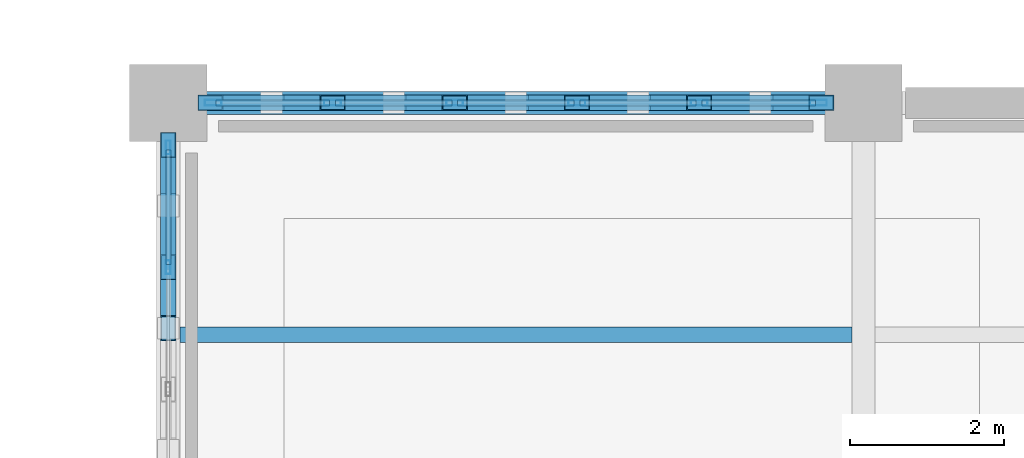
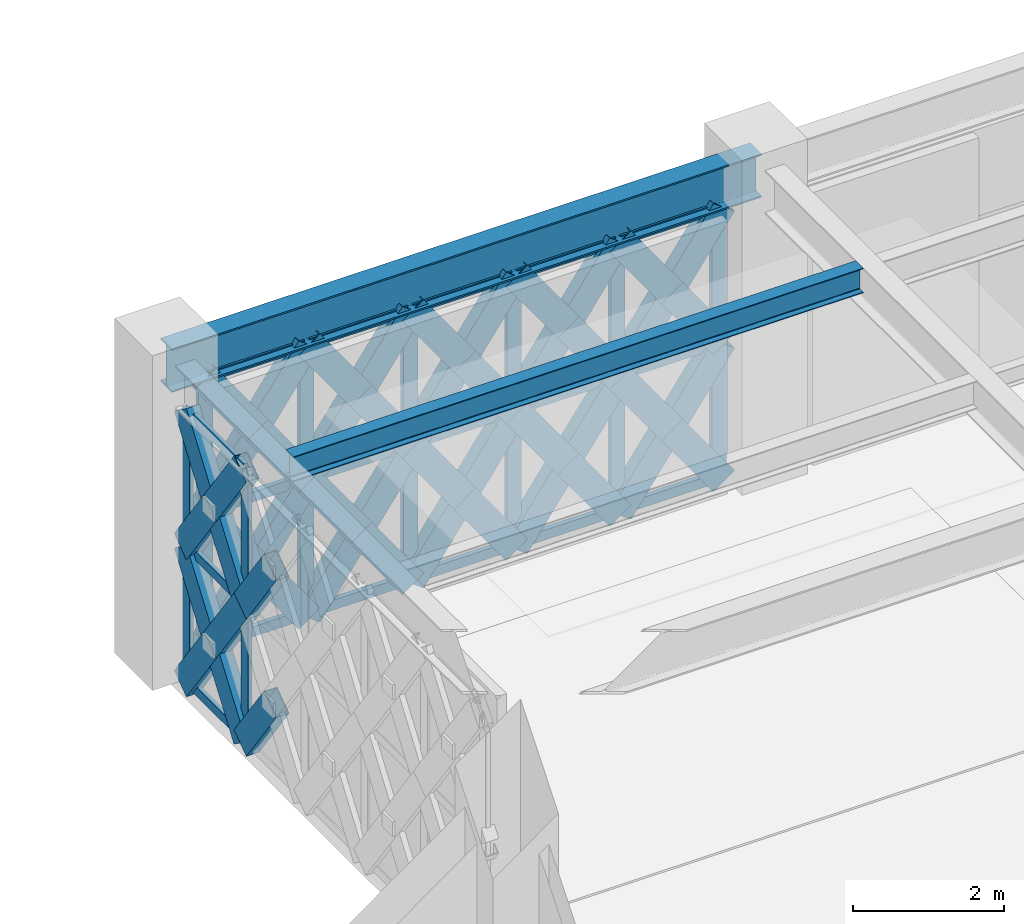
# One storey, part 43 of 140: 64 members, 2 beams, 2 elements without a shape of their own.
"""IFC4 building model written with IfcOpenShell, lengths in metres."""

from ifc_helpers import new_model, si_unit, direction, frame, origin, origin_2d, place, context, subcontext, project, spatial, hollow_rectangle, i_section, extrude, material, material_profile, profile_set, type_object, element, aggregate, save


model = new_model("IFC4")

# Units and contexts
model_context = context("Model", 3, precision=1e-05, world=origin(), true_north=direction((0.0, 1.0)))
body_context = subcontext(model_context, "Body", "Model", "MODEL_VIEW")
ifc_project = project(units=[si_unit("LENGTHUNIT", "METRE"), si_unit("AREAUNIT", "SQUARE_METRE"), si_unit("VOLUMEUNIT", "CUBIC_METRE"), si_unit("PLANEANGLEUNIT", "RADIAN"), si_unit("MASSUNIT", "GRAM", prefix="KILO")], contexts=[model_context])

# Site, building, storey
site_placement = place(None, origin())
site = spatial("IfcSite", under=ifc_project, at=site_placement, CompositionType="ELEMENT")
building_placement = place(site_placement, origin())
building = spatial("IfcBuilding", under=site, at=building_placement, Name="Haizhuo Lancet Aquarium", CompositionType="ELEMENT")
storey_placement = place(building_placement, origin())
storey = spatial("IfcBuildingStorey", under=building, at=storey_placement, Name="L00", CompositionType="ELEMENT", Elevation=0.0)

# Beam
ifc_material_1 = material(Name="Steel S355", Category="steel")
ifc_material_profile_1 = material_profile(ifc_material_1, i_section(OverallWidth=0.300048828125, OverallDepth=0.699951171875, WebThickness=0.012939453125, FlangeThickness=0.02392578125, FilletRadius=0.02587890625, at=origin_2d()), Name="HN 700x300x13x24")
ifc_profile_set_1 = profile_set([ifc_material_profile_1], Name="Steel S355")
beam_type_1 = type_object("IfcBeamType", Name="BM-ST-HN700", PredefinedType="BEAM", material=ifc_profile_set_1)
beam_1_placement = place(storey_placement, frame((-72.0, 27.0, 4.77001953125), z_axis=(1.0, 0.0, 0.0), x_axis=(0.0, 1.0, 0.0)))
element("IfcBeam", 1, at=beam_1_placement, inside=storey, type_object=beam_type_1, Name="L00 V2 primary girder BM-L00-V2-008", PredefinedType="BEAM", context=body_context, shape_type="SweptSolid", body=[
    extrude(i_section(OverallWidth=0.300048828125, OverallDepth=0.699951171875, WebThickness=0.012939453125, FlangeThickness=0.02392578125, FilletRadius=0.02587890625, at=origin_2d()), origin(), (0.0, 0.0, 1.0), 9.0),
])

# Curtain wall, members
ifc_material_2 = material(Name="Aluminium 6063-T6", Category="aluminium")
curtain_wall_type = type_object("IfcCurtainWallType", Name="CWD-7910x4420", PredefinedType="NOTDEFINED", material=ifc_material_2)
curtain_wall_1_placement = place(storey_placement, origin())
curtain_wall_1 = element("IfcCurtainWall", 2, at=curtain_wall_1_placement, inside=storey, type_object=curtain_wall_type, Name="L00 curtain wall CW-V2-L00-013", PredefinedType="NOTDEFINED")
ifc_material_profile_2 = material_profile(ifc_material_2, hollow_rectangle(XDim=0.06494140625, YDim=0.179931640625, WallThickness=0.00390625, at=origin_2d()), Name="ALU-M 65x180x4")
ifc_profile_set_2 = profile_set([ifc_material_profile_2], Name="Aluminium 6063-T6")
member_type_1 = type_object("IfcMemberType", Name="CW-MUL-1", PredefinedType="MULLION", material=ifc_profile_set_2)
member_1_placement = place(storey_placement, frame((-72.0, 24.873046875, 0.0), z_axis=(0.0, 0.0, 1.0), x_axis=(-1.0, 0.0, 0.0)))
member_1 = element("IfcMember", 3, at=member_1_placement, type_object=member_type_1, Name="CWD-79x44 mullion 5", PredefinedType="MULLION", context=body_context, shape_type="SweptSolid", body=[
    extrude(hollow_rectangle(XDim=0.06494140625, YDim=0.179931640625, WallThickness=0.00390625, at=origin_2d()), origin(), (0.0, 0.0, 1.0), 4.419921875),
])
member_2_placement = place(storey_placement, frame((-72.0, 26.422119140625, 0.0), z_axis=(0.0, 0.0, 1.0), x_axis=(-1.0, 0.0, 0.0)))
member_2 = element("IfcMember", 4, at=member_2_placement, type_object=member_type_1, Name="CWD-79x44 mullion 6", PredefinedType="MULLION", context=body_context, shape_type="SweptSolid", body=[
    extrude(hollow_rectangle(XDim=0.06494140625, YDim=0.179931640625, WallThickness=0.00390625, at=origin_2d()), origin(), (0.0, 0.0, 1.0), 4.419921875),
])

curtain_wall_2_placement = place(storey_placement, origin())
curtain_wall_2 = element("IfcCurtainWall", 5, at=curtain_wall_2_placement, inside=storey, type_object=curtain_wall_type, Name="L00 curtain wall CW-V2-L00-014", PredefinedType="NOTDEFINED")
ifc_material_profile_3 = material_profile(ifc_material_2, hollow_rectangle(XDim=0.074951171875, YDim=0.219970703125, WallThickness=0.0048828125, at=origin_2d()), Name="ALU-M 75x220x5")
ifc_profile_set_3 = profile_set([ifc_material_profile_3], Name="Aluminium 6063-T6")
member_type_2 = type_object("IfcMemberType", Name="CW-MUL-2", PredefinedType="MULLION", material=ifc_profile_set_3)
member_3_placement = place(storey_placement, frame((-71.41796875, 27.0, 0.0), z_axis=(0.0, 0.0, 1.0), x_axis=(0.0, 1.0, 0.0)))
member_3 = element("IfcMember", 6, at=member_3_placement, type_object=member_type_2, Name="CWD-79x44 mullion 1", PredefinedType="MULLION", context=body_context, shape_type="SweptSolid", body=[
    extrude(hollow_rectangle(XDim=0.074951171875, YDim=0.219970703125, WallThickness=0.0048828125, at=origin_2d()), origin(), (0.0, 0.0, 1.0), 4.419921875),
])
member_4_placement = place(storey_placement, frame((-69.873046875, 27.0, 0.0), z_axis=(0.0, 0.0, 1.0), x_axis=(0.0, 1.0, 0.0)))
member_4 = element("IfcMember", 7, at=member_4_placement, type_object=member_type_2, Name="CWD-79x44 mullion 2", PredefinedType="MULLION", context=body_context, shape_type="SweptSolid", body=[
    extrude(hollow_rectangle(XDim=0.074951171875, YDim=0.219970703125, WallThickness=0.0048828125, at=origin_2d()), origin(), (0.0, 0.0, 1.0), 4.419921875),
])
member_5_placement = place(storey_placement, frame((-68.291015625, 27.0, 0.0), z_axis=(0.0, 0.0, 1.0), x_axis=(0.0, 1.0, 0.0)))
member_5 = element("IfcMember", 8, at=member_5_placement, type_object=member_type_2, Name="CWD-79x44 mullion 3", PredefinedType="MULLION", context=body_context, shape_type="SweptSolid", body=[
    extrude(hollow_rectangle(XDim=0.074951171875, YDim=0.219970703125, WallThickness=0.0048828125, at=origin_2d()), origin(), (0.0, 0.0, 1.0), 4.419921875),
])
member_6_placement = place(storey_placement, frame((-66.708984375, 27.0, 0.0), z_axis=(0.0, 0.0, 1.0), x_axis=(0.0, 1.0, 0.0)))
member_6 = element("IfcMember", 9, at=member_6_placement, type_object=member_type_2, Name="CWD-79x44 mullion 4", PredefinedType="MULLION", context=body_context, shape_type="SweptSolid", body=[
    extrude(hollow_rectangle(XDim=0.074951171875, YDim=0.219970703125, WallThickness=0.0048828125, at=origin_2d()), origin(), (0.0, 0.0, 1.0), 4.419921875),
])
member_7_placement = place(storey_placement, frame((-65.126953125, 27.0, 0.0), z_axis=(0.0, 0.0, 1.0), x_axis=(0.0, 1.0, 0.0)))
member_7 = element("IfcMember", 10, at=member_7_placement, type_object=member_type_2, Name="CWD-79x44 mullion 5", PredefinedType="MULLION", context=body_context, shape_type="SweptSolid", body=[
    extrude(hollow_rectangle(XDim=0.074951171875, YDim=0.219970703125, WallThickness=0.0048828125, at=origin_2d()), origin(), (0.0, 0.0, 1.0), 4.419921875),
])
member_8_placement = place(storey_placement, frame((-63.5830078125, 27.0, 0.0), z_axis=(0.0, 0.0, 1.0), x_axis=(0.0, 1.0, 0.0)))
member_8 = element("IfcMember", 11, at=member_8_placement, type_object=member_type_2, Name="CWD-79x44 mullion 6", PredefinedType="MULLION", context=body_context, shape_type="SweptSolid", body=[
    extrude(hollow_rectangle(XDim=0.074951171875, YDim=0.219970703125, WallThickness=0.0048828125, at=origin_2d()), origin(), (0.0, 0.0, 1.0), 4.419921875),
])

# Member
ifc_material_profile_4 = material_profile(ifc_material_2, hollow_rectangle(XDim=0.06494140625, YDim=0.139892578125, WallThickness=0.00390625, at=origin_2d()), Name="ALU-T 65x140x4")
ifc_profile_set_4 = profile_set([ifc_material_profile_4], Name="Aluminium 6063-T6")
member_type_3 = type_object("IfcMemberType", Name="CW-TRN-1", PredefinedType="NOTDEFINED", material=ifc_profile_set_4)
member_9_placement = place(storey_placement, frame((-72.0, 24.905029296875, 0.032958984375), z_axis=(0.0, 1.0, 0.0), x_axis=(-1.0, 0.0, 0.0)))
member_9 = element("IfcMember", 12, at=member_9_placement, type_object=member_type_3, Name="CWD-79x44 transom 5.1", ObjectType="TRANSOM", PredefinedType="USERDEFINED", context=body_context, shape_type="SweptSolid", body=[
    extrude(hollow_rectangle(XDim=0.06494140625, YDim=0.139892578125, WallThickness=0.00390625, at=origin_2d()), origin(), (0.0, 0.0, 1.0), 1.48486328125),
])

member_10_placement = place(storey_placement, frame((-72.0, 24.905029296875, 2.2099609375), z_axis=(0.0, 1.0, 0.0), x_axis=(-1.0, 0.0, 0.0)))
member_10 = element("IfcMember", 13, at=member_10_placement, type_object=member_type_3, Name="CWD-79x44 transom 5.2", ObjectType="TRANSOM", PredefinedType="USERDEFINED", context=body_context, shape_type="SweptSolid", body=[
    extrude(hollow_rectangle(XDim=0.06494140625, YDim=0.139892578125, WallThickness=0.00390625, at=origin_2d()), origin(), (0.0, 0.0, 1.0), 1.48486328125),
])

member_11_placement = place(storey_placement, frame((-72.0, 24.905029296875, 4.387939453125), z_axis=(0.0, 1.0, 0.0), x_axis=(-1.0, 0.0, 0.0)))
member_11 = element("IfcMember", 14, at=member_11_placement, type_object=member_type_3, Name="CWD-79x44 transom 5.3", ObjectType="TRANSOM", PredefinedType="USERDEFINED", context=body_context, shape_type="SweptSolid", body=[
    extrude(hollow_rectangle(XDim=0.06494140625, YDim=0.139892578125, WallThickness=0.00390625, at=origin_2d()), origin(), (0.0, 0.0, 1.0), 1.48486328125),
])

aggregate(curtain_wall_1, [member_1, member_2, member_9, member_10, member_11])

ifc_material_profile_5 = material_profile(ifc_material_2, hollow_rectangle(XDim=0.074951171875, YDim=0.159912109375, WallThickness=0.00390625, at=origin_2d()), Name="ALU-T 75x160x4")
ifc_profile_set_5 = profile_set([ifc_material_profile_5], Name="Aluminium 6063-T6")
member_type_4 = type_object("IfcMemberType", Name="CW-TRN-2", PredefinedType="NOTDEFINED", material=ifc_profile_set_5)
member_12_placement = place(storey_placement, frame((-71.3798828125, 27.0, 0.037109375), z_axis=(1.0, 0.0, 0.0), x_axis=(0.0, 1.0, 0.0)))
member_12 = element("IfcMember", 15, at=member_12_placement, type_object=member_type_4, Name="CWD-79x44 transom 1.1", ObjectType="TRANSOM", PredefinedType="USERDEFINED", context=body_context, shape_type="SweptSolid", body=[
    extrude(hollow_rectangle(XDim=0.074951171875, YDim=0.159912109375, WallThickness=0.00390625, at=origin_2d()), origin(), (0.0, 0.0, 1.0), 1.469970703125),
])

member_13_placement = place(storey_placement, frame((-71.3798828125, 27.0, 2.2099609375), z_axis=(1.0, 0.0, 0.0), x_axis=(0.0, 1.0, 0.0)))
member_13 = element("IfcMember", 16, at=member_13_placement, type_object=member_type_4, Name="CWD-79x44 transom 1.2", ObjectType="TRANSOM", PredefinedType="USERDEFINED", context=body_context, shape_type="SweptSolid", body=[
    extrude(hollow_rectangle(XDim=0.074951171875, YDim=0.159912109375, WallThickness=0.00390625, at=origin_2d()), origin(), (0.0, 0.0, 1.0), 1.469970703125),
])

member_14_placement = place(storey_placement, frame((-71.3798828125, 27.0, 4.383056640625), z_axis=(1.0, 0.0, 0.0), x_axis=(0.0, 1.0, 0.0)))
member_14 = element("IfcMember", 17, at=member_14_placement, type_object=member_type_4, Name="CWD-79x44 transom 1.3", ObjectType="TRANSOM", PredefinedType="USERDEFINED", context=body_context, shape_type="SweptSolid", body=[
    extrude(hollow_rectangle(XDim=0.074951171875, YDim=0.159912109375, WallThickness=0.00390625, at=origin_2d()), origin(), (0.0, 0.0, 1.0), 1.469970703125),
])

member_15_placement = place(storey_placement, frame((-69.8349609375, 27.0, 0.037109375), z_axis=(1.0, 0.0, 0.0), x_axis=(0.0, 1.0, 0.0)))
member_15 = element("IfcMember", 18, at=member_15_placement, type_object=member_type_4, Name="CWD-79x44 transom 2.1", ObjectType="TRANSOM", PredefinedType="USERDEFINED", context=body_context, shape_type="SweptSolid", body=[
    extrude(hollow_rectangle(XDim=0.074951171875, YDim=0.159912109375, WallThickness=0.00390625, at=origin_2d()), origin(), (0.0, 0.0, 1.0), 1.505859375),
])

member_16_placement = place(storey_placement, frame((-69.8349609375, 27.0, 2.2099609375), z_axis=(1.0, 0.0, 0.0), x_axis=(0.0, 1.0, 0.0)))
member_16 = element("IfcMember", 19, at=member_16_placement, type_object=member_type_4, Name="CWD-79x44 transom 2.2", ObjectType="TRANSOM", PredefinedType="USERDEFINED", context=body_context, shape_type="SweptSolid", body=[
    extrude(hollow_rectangle(XDim=0.074951171875, YDim=0.159912109375, WallThickness=0.00390625, at=origin_2d()), origin(), (0.0, 0.0, 1.0), 1.505859375),
])

member_17_placement = place(storey_placement, frame((-69.8349609375, 27.0, 4.383056640625), z_axis=(1.0, 0.0, 0.0), x_axis=(0.0, 1.0, 0.0)))
member_17 = element("IfcMember", 20, at=member_17_placement, type_object=member_type_4, Name="CWD-79x44 transom 2.3", ObjectType="TRANSOM", PredefinedType="USERDEFINED", context=body_context, shape_type="SweptSolid", body=[
    extrude(hollow_rectangle(XDim=0.074951171875, YDim=0.159912109375, WallThickness=0.00390625, at=origin_2d()), origin(), (0.0, 0.0, 1.0), 1.505859375),
])

member_18_placement = place(storey_placement, frame((-68.25390625, 27.0, 0.037109375), z_axis=(1.0, 0.0, 0.0), x_axis=(0.0, 1.0, 0.0)))
member_18 = element("IfcMember", 21, at=member_18_placement, type_object=member_type_4, Name="CWD-79x44 transom 3.1", ObjectType="TRANSOM", PredefinedType="USERDEFINED", context=body_context, shape_type="SweptSolid", body=[
    extrude(hollow_rectangle(XDim=0.074951171875, YDim=0.159912109375, WallThickness=0.00390625, at=origin_2d()), origin(), (0.0, 0.0, 1.0), 1.5078125),
])

member_19_placement = place(storey_placement, frame((-68.25390625, 27.0, 2.2099609375), z_axis=(1.0, 0.0, 0.0), x_axis=(0.0, 1.0, 0.0)))
member_19 = element("IfcMember", 22, at=member_19_placement, type_object=member_type_4, Name="CWD-79x44 transom 3.2", ObjectType="TRANSOM", PredefinedType="USERDEFINED", context=body_context, shape_type="SweptSolid", body=[
    extrude(hollow_rectangle(XDim=0.074951171875, YDim=0.159912109375, WallThickness=0.00390625, at=origin_2d()), origin(), (0.0, 0.0, 1.0), 1.5078125),
])

member_20_placement = place(storey_placement, frame((-68.25390625, 27.0, 4.383056640625), z_axis=(1.0, 0.0, 0.0), x_axis=(0.0, 1.0, 0.0)))
member_20 = element("IfcMember", 23, at=member_20_placement, type_object=member_type_4, Name="CWD-79x44 transom 3.3", ObjectType="TRANSOM", PredefinedType="USERDEFINED", context=body_context, shape_type="SweptSolid", body=[
    extrude(hollow_rectangle(XDim=0.074951171875, YDim=0.159912109375, WallThickness=0.00390625, at=origin_2d()), origin(), (0.0, 0.0, 1.0), 1.5078125),
])

member_21_placement = place(storey_placement, frame((-66.6708984375, 27.0, 0.037109375), z_axis=(1.0, 0.0, 0.0), x_axis=(0.0, 1.0, 0.0)))
member_21 = element("IfcMember", 24, at=member_21_placement, type_object=member_type_4, Name="CWD-79x44 transom 4.1", ObjectType="TRANSOM", PredefinedType="USERDEFINED", context=body_context, shape_type="SweptSolid", body=[
    extrude(hollow_rectangle(XDim=0.074951171875, YDim=0.159912109375, WallThickness=0.00390625, at=origin_2d()), origin(), (0.0, 0.0, 1.0), 1.505859375),
])

member_22_placement = place(storey_placement, frame((-66.6708984375, 27.0, 2.2099609375), z_axis=(1.0, 0.0, 0.0), x_axis=(0.0, 1.0, 0.0)))
member_22 = element("IfcMember", 25, at=member_22_placement, type_object=member_type_4, Name="CWD-79x44 transom 4.2", ObjectType="TRANSOM", PredefinedType="USERDEFINED", context=body_context, shape_type="SweptSolid", body=[
    extrude(hollow_rectangle(XDim=0.074951171875, YDim=0.159912109375, WallThickness=0.00390625, at=origin_2d()), origin(), (0.0, 0.0, 1.0), 1.505859375),
])

member_23_placement = place(storey_placement, frame((-66.6708984375, 27.0, 4.383056640625), z_axis=(1.0, 0.0, 0.0), x_axis=(0.0, 1.0, 0.0)))
member_23 = element("IfcMember", 26, at=member_23_placement, type_object=member_type_4, Name="CWD-79x44 transom 4.3", ObjectType="TRANSOM", PredefinedType="USERDEFINED", context=body_context, shape_type="SweptSolid", body=[
    extrude(hollow_rectangle(XDim=0.074951171875, YDim=0.159912109375, WallThickness=0.00390625, at=origin_2d()), origin(), (0.0, 0.0, 1.0), 1.505859375),
])

member_24_placement = place(storey_placement, frame((-65.090087890625, 27.0, 0.037109375), z_axis=(1.0, 0.0, 0.0), x_axis=(0.0, 1.0, 0.0)))
member_24 = element("IfcMember", 27, at=member_24_placement, type_object=member_type_4, Name="CWD-79x44 transom 5.1", ObjectType="TRANSOM", PredefinedType="USERDEFINED", context=body_context, shape_type="SweptSolid", body=[
    extrude(hollow_rectangle(XDim=0.074951171875, YDim=0.159912109375, WallThickness=0.00390625, at=origin_2d()), origin(), (0.0, 0.0, 1.0), 1.469970703125),
])

member_25_placement = place(storey_placement, frame((-65.090087890625, 27.0, 2.2099609375), z_axis=(1.0, 0.0, 0.0), x_axis=(0.0, 1.0, 0.0)))
member_25 = element("IfcMember", 28, at=member_25_placement, type_object=member_type_4, Name="CWD-79x44 transom 5.2", ObjectType="TRANSOM", PredefinedType="USERDEFINED", context=body_context, shape_type="SweptSolid", body=[
    extrude(hollow_rectangle(XDim=0.074951171875, YDim=0.159912109375, WallThickness=0.00390625, at=origin_2d()), origin(), (0.0, 0.0, 1.0), 1.469970703125),
])

member_26_placement = place(storey_placement, frame((-65.090087890625, 27.0, 4.383056640625), z_axis=(1.0, 0.0, 0.0), x_axis=(0.0, 1.0, 0.0)))
member_26 = element("IfcMember", 29, at=member_26_placement, type_object=member_type_4, Name="CWD-79x44 transom 5.3", ObjectType="TRANSOM", PredefinedType="USERDEFINED", context=body_context, shape_type="SweptSolid", body=[
    extrude(hollow_rectangle(XDim=0.074951171875, YDim=0.159912109375, WallThickness=0.00390625, at=origin_2d()), origin(), (0.0, 0.0, 1.0), 1.469970703125),
])

aggregate(curtain_wall_2, [member_3, member_4, member_5, member_6, member_7, member_8, member_12, member_13, member_14, member_15, member_16, member_17, member_18, member_19, member_20, member_21, member_22, member_23, member_24, member_25, member_26])

# Beam
ifc_material_profile_6 = material_profile(ifc_material_1, i_section(OverallWidth=0.199951171875, OverallDepth=0.39990234375, WebThickness=0.008056640625, FlangeThickness=0.012939453125, FilletRadius=0.01611328125, at=origin_2d()), Name="HN 400x200x8x13")
ifc_profile_set_6 = profile_set([ifc_material_profile_6], Name="Steel S355")
beam_type_2 = type_object("IfcBeamType", Name="JST-ST-HN400", PredefinedType="JOIST", material=ifc_profile_set_6)
beam_2_placement = place(storey_placement, frame((-71.85009765625, 24.0, 4.919921875), z_axis=(1.0, 0.0, 0.0), x_axis=(0.0, 1.0, 0.0)))
element("IfcBeam", 30, at=beam_2_placement, inside=storey, type_object=beam_type_2, Name="L00 V2 secondary floor joist 6", PredefinedType="JOIST", context=body_context, shape_type="SweptSolid", body=[
    extrude(i_section(OverallWidth=0.199951171875, OverallDepth=0.39990234375, WebThickness=0.008056640625, FlangeThickness=0.012939453125, FilletRadius=0.01611328125, at=origin_2d()), origin(), (0.0, 0.0, 1.0), 8.7001953125),
])

# Members
ifc_material_profile_7 = material_profile(ifc_material_1, hollow_rectangle(XDim=0.199951171875, YDim=0.39990234375, WallThickness=0.011962890625, at=origin_2d()), Name="RHS 200x400x12")
ifc_profile_set_7 = profile_set([ifc_material_profile_7], Name="Steel S355")
member_type_5 = type_object("IfcMemberType", Name="MEM-LB-RHS200x400", PredefinedType="BRACE", material=ifc_profile_set_7)
for number, where, z_axis, x_axis, name in (
    (31, (-72.0, 24.873046875, 0.0), (0.0, -0.582087604305, 0.813126079347), (1.0, 0.0, 0.0), "Gothic lancet split diagonal brace CW-V2-L00-013 7B1"),
    (32, (-72.0, 24.873046875, 2.2099609375), (0.0, -0.582087604305, 0.813126079347), (1.0, 0.0, 0.0), "Gothic lancet split diagonal brace CW-V2-L00-013 8B1"),
):
    element("IfcMember", number, at=place(storey_placement, frame(where, z_axis=z_axis, x_axis=x_axis)), inside=storey, type_object=member_type_5, Name=name, PredefinedType="BRACE", context=body_context, shape_type="SweptSolid", body=[
        extrude(hollow_rectangle(XDim=0.199951171875, YDim=0.39990234375, WallThickness=0.011962890625, at=origin_2d()), origin(), (0.0, 0.0, 1.0), 1.35888671875),
    ])
member_27_placement = place(storey_placement, frame((-72.0, 24.873046875, 0.0), z_axis=(0.0, 0.582087604305, 0.813126079347), x_axis=(-1.0, 0.0, 0.0)))
element("IfcMember", 33, at=member_27_placement, inside=storey, type_object=member_type_5, Name="Gothic lancet continuous diagonal brace CW-V2-L00-013 9A", PredefinedType="BRACE", context=body_context, shape_type="SweptSolid", body=[
    extrude(hollow_rectangle(XDim=0.199951171875, YDim=0.39990234375, WallThickness=0.011962890625, at=origin_2d()), origin(), (0.0, 0.0, 1.0), 2.7177734375),
])
for number, where, z_axis, x_axis, name in (
    (34, (-72.0, 26.455078125, 0.0), (0.0, -0.582087604305, 0.813126079347), (1.0, 0.0, 0.0), "Gothic lancet split diagonal brace CW-V2-L00-013 9B1"),
    (35, (-72.0, 25.6640625, 1.10498046875), (0.0, -0.582087604305, 0.813126079347), (1.0, 0.0, 0.0), "Gothic lancet split diagonal brace CW-V2-L00-013 9B2"),
):
    element("IfcMember", number, at=place(storey_placement, frame(where, z_axis=z_axis, x_axis=x_axis)), inside=storey, type_object=member_type_5, Name=name, PredefinedType="BRACE", context=body_context, shape_type="SweptSolid", body=[
        extrude(hollow_rectangle(XDim=0.199951171875, YDim=0.39990234375, WallThickness=0.011962890625, at=origin_2d()), origin(), (0.0, 0.0, 1.0), 1.35888671875),
    ])
member_28_placement = place(storey_placement, frame((-72.0, 24.873046875, 2.2099609375), z_axis=(0.0, 0.582087604305, 0.813126079347), x_axis=(-1.0, 0.0, 0.0)))
element("IfcMember", 36, at=member_28_placement, inside=storey, type_object=member_type_5, Name="Gothic lancet continuous diagonal brace CW-V2-L00-013 10A", PredefinedType="BRACE", context=body_context, shape_type="SweptSolid", body=[
    extrude(hollow_rectangle(XDim=0.199951171875, YDim=0.39990234375, WallThickness=0.011962890625, at=origin_2d()), origin(), (0.0, 0.0, 1.0), 2.7177734375),
])
for number, where, z_axis, x_axis, name in (
    (37, (-72.0, 26.455078125, 2.2099609375), (0.0, -0.582087604305, 0.813126079347), (1.0, 0.0, 0.0), "Gothic lancet split diagonal brace CW-V2-L00-013 10B1"),
    (38, (-72.0, 25.6640625, 3.31494140625), (0.0, -0.582087604305, 0.813126079347), (1.0, 0.0, 0.0), "Gothic lancet split diagonal brace CW-V2-L00-013 10B2"),
):
    element("IfcMember", number, at=place(storey_placement, frame(where, z_axis=z_axis, x_axis=x_axis)), inside=storey, type_object=member_type_5, Name=name, PredefinedType="BRACE", context=body_context, shape_type="SweptSolid", body=[
        extrude(hollow_rectangle(XDim=0.199951171875, YDim=0.39990234375, WallThickness=0.011962890625, at=origin_2d()), origin(), (0.0, 0.0, 1.0), 1.35888671875),
    ])
member_29_placement = place(storey_placement, frame((-71.455078125, 27.0, 0.0), z_axis=(0.582087604305, 0.0, 0.813126079347), x_axis=(0.0, 1.0, 0.0)))
element("IfcMember", 39, at=member_29_placement, inside=storey, type_object=member_type_5, Name="Gothic lancet continuous diagonal brace CW-V2-L00-014 1A", PredefinedType="BRACE", context=body_context, shape_type="SweptSolid", body=[
    extrude(hollow_rectangle(XDim=0.199951171875, YDim=0.39990234375, WallThickness=0.011962890625, at=origin_2d()), origin(), (0.0, 0.0, 1.0), 2.7177734375),
])
for number, where, z_axis, x_axis, name in (
    (40, (-69.873046875, 27.0, 0.0), (-0.582087604305, 0.0, 0.813126079347), (0.0, -1.0, 0.0), "Gothic lancet split diagonal brace CW-V2-L00-014 1B1"),
    (41, (-70.6640625, 27.0, 1.10498046875), (-0.582087604305, 0.0, 0.813126079347), (0.0, -1.0, 0.0), "Gothic lancet split diagonal brace CW-V2-L00-014 1B2"),
):
    element("IfcMember", number, at=place(storey_placement, frame(where, z_axis=z_axis, x_axis=x_axis)), inside=storey, type_object=member_type_5, Name=name, PredefinedType="BRACE", context=body_context, shape_type="SweptSolid", body=[
        extrude(hollow_rectangle(XDim=0.199951171875, YDim=0.39990234375, WallThickness=0.011962890625, at=origin_2d()), origin(), (0.0, 0.0, 1.0), 1.35888671875),
    ])
member_30_placement = place(storey_placement, frame((-71.455078125, 27.0, 2.2099609375), z_axis=(0.582087604305, 0.0, 0.813126079347), x_axis=(0.0, 1.0, 0.0)))
element("IfcMember", 42, at=member_30_placement, inside=storey, type_object=member_type_5, Name="Gothic lancet continuous diagonal brace CW-V2-L00-014 2A", PredefinedType="BRACE", context=body_context, shape_type="SweptSolid", body=[
    extrude(hollow_rectangle(XDim=0.199951171875, YDim=0.39990234375, WallThickness=0.011962890625, at=origin_2d()), origin(), (0.0, 0.0, 1.0), 2.7177734375),
])
for number, where, z_axis, x_axis, name in (
    (43, (-69.873046875, 27.0, 2.2099609375), (-0.582087604305, 0.0, 0.813126079347), (0.0, -1.0, 0.0), "Gothic lancet split diagonal brace CW-V2-L00-014 2B1"),
    (44, (-70.6640625, 27.0, 3.31494140625), (-0.582087604305, 0.0, 0.813126079347), (0.0, -1.0, 0.0), "Gothic lancet split diagonal brace CW-V2-L00-014 2B2"),
):
    element("IfcMember", number, at=place(storey_placement, frame(where, z_axis=z_axis, x_axis=x_axis)), inside=storey, type_object=member_type_5, Name=name, PredefinedType="BRACE", context=body_context, shape_type="SweptSolid", body=[
        extrude(hollow_rectangle(XDim=0.199951171875, YDim=0.39990234375, WallThickness=0.011962890625, at=origin_2d()), origin(), (0.0, 0.0, 1.0), 1.35888671875),
    ])
member_31_placement = place(storey_placement, frame((-69.873046875, 27.0, 0.0), z_axis=(0.582087604305, 0.0, 0.813126079347), x_axis=(0.0, 1.0, 0.0)))
element("IfcMember", 45, at=member_31_placement, inside=storey, type_object=member_type_5, Name="Gothic lancet continuous diagonal brace CW-V2-L00-014 3A", PredefinedType="BRACE", context=body_context, shape_type="SweptSolid", body=[
    extrude(hollow_rectangle(XDim=0.199951171875, YDim=0.39990234375, WallThickness=0.011962890625, at=origin_2d()), origin(), (0.0, 0.0, 1.0), 2.7177734375),
])
for number, where, z_axis, x_axis, name in (
    (46, (-68.291015625, 27.0, 0.0), (-0.582087604305, 0.0, 0.813126079347), (0.0, -1.0, 0.0), "Gothic lancet split diagonal brace CW-V2-L00-014 3B1"),
    (47, (-69.08203125, 27.0, 1.10498046875), (-0.582087604305, 0.0, 0.813126079347), (0.0, -1.0, 0.0), "Gothic lancet split diagonal brace CW-V2-L00-014 3B2"),
):
    element("IfcMember", number, at=place(storey_placement, frame(where, z_axis=z_axis, x_axis=x_axis)), inside=storey, type_object=member_type_5, Name=name, PredefinedType="BRACE", context=body_context, shape_type="SweptSolid", body=[
        extrude(hollow_rectangle(XDim=0.199951171875, YDim=0.39990234375, WallThickness=0.011962890625, at=origin_2d()), origin(), (0.0, 0.0, 1.0), 1.35888671875),
    ])
member_32_placement = place(storey_placement, frame((-69.873046875, 27.0, 2.2099609375), z_axis=(0.582087604305, 0.0, 0.813126079347), x_axis=(0.0, 1.0, 0.0)))
element("IfcMember", 48, at=member_32_placement, inside=storey, type_object=member_type_5, Name="Gothic lancet continuous diagonal brace CW-V2-L00-014 4A", PredefinedType="BRACE", context=body_context, shape_type="SweptSolid", body=[
    extrude(hollow_rectangle(XDim=0.199951171875, YDim=0.39990234375, WallThickness=0.011962890625, at=origin_2d()), origin(), (0.0, 0.0, 1.0), 2.7177734375),
])
for number, where, z_axis, x_axis, name in (
    (49, (-68.291015625, 27.0, 2.2099609375), (-0.582087604305, 0.0, 0.813126079347), (0.0, -1.0, 0.0), "Gothic lancet split diagonal brace CW-V2-L00-014 4B1"),
    (50, (-69.08203125, 27.0, 3.31494140625), (-0.582087604305, 0.0, 0.813126079347), (0.0, -1.0, 0.0), "Gothic lancet split diagonal brace CW-V2-L00-014 4B2"),
):
    element("IfcMember", number, at=place(storey_placement, frame(where, z_axis=z_axis, x_axis=x_axis)), inside=storey, type_object=member_type_5, Name=name, PredefinedType="BRACE", context=body_context, shape_type="SweptSolid", body=[
        extrude(hollow_rectangle(XDim=0.199951171875, YDim=0.39990234375, WallThickness=0.011962890625, at=origin_2d()), origin(), (0.0, 0.0, 1.0), 1.35888671875),
    ])
member_33_placement = place(storey_placement, frame((-68.291015625, 27.0, 0.0), z_axis=(0.582087604305, 0.0, 0.813126079347), x_axis=(0.0, 1.0, 0.0)))
element("IfcMember", 51, at=member_33_placement, inside=storey, type_object=member_type_5, Name="Gothic lancet continuous diagonal brace CW-V2-L00-014 5A", PredefinedType="BRACE", context=body_context, shape_type="SweptSolid", body=[
    extrude(hollow_rectangle(XDim=0.199951171875, YDim=0.39990234375, WallThickness=0.011962890625, at=origin_2d()), origin(), (0.0, 0.0, 1.0), 2.7177734375),
])
for number, where, z_axis, x_axis, name in (
    (52, (-66.708984375, 27.0, 0.0), (-0.582087604305, 0.0, 0.813126079347), (0.0, -1.0, 0.0), "Gothic lancet split diagonal brace CW-V2-L00-014 5B1"),
    (53, (-67.5, 27.0, 1.10498046875), (-0.582087604305, 0.0, 0.813126079347), (0.0, -1.0, 0.0), "Gothic lancet split diagonal brace CW-V2-L00-014 5B2"),
):
    element("IfcMember", number, at=place(storey_placement, frame(where, z_axis=z_axis, x_axis=x_axis)), inside=storey, type_object=member_type_5, Name=name, PredefinedType="BRACE", context=body_context, shape_type="SweptSolid", body=[
        extrude(hollow_rectangle(XDim=0.199951171875, YDim=0.39990234375, WallThickness=0.011962890625, at=origin_2d()), origin(), (0.0, 0.0, 1.0), 1.35888671875),
    ])
member_34_placement = place(storey_placement, frame((-68.291015625, 27.0, 2.2099609375), z_axis=(0.582087604305, 0.0, 0.813126079347), x_axis=(0.0, 1.0, 0.0)))
element("IfcMember", 54, at=member_34_placement, inside=storey, type_object=member_type_5, Name="Gothic lancet continuous diagonal brace CW-V2-L00-014 6A", PredefinedType="BRACE", context=body_context, shape_type="SweptSolid", body=[
    extrude(hollow_rectangle(XDim=0.199951171875, YDim=0.39990234375, WallThickness=0.011962890625, at=origin_2d()), origin(), (0.0, 0.0, 1.0), 2.7177734375),
])
for number, where, z_axis, x_axis, name in (
    (55, (-66.708984375, 27.0, 2.2099609375), (-0.582087604305, 0.0, 0.813126079347), (0.0, -1.0, 0.0), "Gothic lancet split diagonal brace CW-V2-L00-014 6B1"),
    (56, (-67.5, 27.0, 3.31494140625), (-0.582087604305, 0.0, 0.813126079347), (0.0, -1.0, 0.0), "Gothic lancet split diagonal brace CW-V2-L00-014 6B2"),
):
    element("IfcMember", number, at=place(storey_placement, frame(where, z_axis=z_axis, x_axis=x_axis)), inside=storey, type_object=member_type_5, Name=name, PredefinedType="BRACE", context=body_context, shape_type="SweptSolid", body=[
        extrude(hollow_rectangle(XDim=0.199951171875, YDim=0.39990234375, WallThickness=0.011962890625, at=origin_2d()), origin(), (0.0, 0.0, 1.0), 1.35888671875),
    ])
member_35_placement = place(storey_placement, frame((-66.708984375, 27.0, 0.0), z_axis=(0.582087604305, 0.0, 0.813126079347), x_axis=(0.0, 1.0, 0.0)))
element("IfcMember", 57, at=member_35_placement, inside=storey, type_object=member_type_5, Name="Gothic lancet continuous diagonal brace CW-V2-L00-014 7A", PredefinedType="BRACE", context=body_context, shape_type="SweptSolid", body=[
    extrude(hollow_rectangle(XDim=0.199951171875, YDim=0.39990234375, WallThickness=0.011962890625, at=origin_2d()), origin(), (0.0, 0.0, 1.0), 2.7177734375),
])
for number, where, z_axis, x_axis, name in (
    (58, (-65.126953125, 27.0, 0.0), (-0.582087604305, 0.0, 0.813126079347), (0.0, -1.0, 0.0), "Gothic lancet split diagonal brace CW-V2-L00-014 7B1"),
    (59, (-65.91796875, 27.0, 1.10498046875), (-0.582087604305, 0.0, 0.813126079347), (0.0, -1.0, 0.0), "Gothic lancet split diagonal brace CW-V2-L00-014 7B2"),
):
    element("IfcMember", number, at=place(storey_placement, frame(where, z_axis=z_axis, x_axis=x_axis)), inside=storey, type_object=member_type_5, Name=name, PredefinedType="BRACE", context=body_context, shape_type="SweptSolid", body=[
        extrude(hollow_rectangle(XDim=0.199951171875, YDim=0.39990234375, WallThickness=0.011962890625, at=origin_2d()), origin(), (0.0, 0.0, 1.0), 1.35888671875),
    ])
member_36_placement = place(storey_placement, frame((-66.708984375, 27.0, 2.2099609375), z_axis=(0.582087604305, 0.0, 0.813126079347), x_axis=(0.0, 1.0, 0.0)))
element("IfcMember", 60, at=member_36_placement, inside=storey, type_object=member_type_5, Name="Gothic lancet continuous diagonal brace CW-V2-L00-014 8A", PredefinedType="BRACE", context=body_context, shape_type="SweptSolid", body=[
    extrude(hollow_rectangle(XDim=0.199951171875, YDim=0.39990234375, WallThickness=0.011962890625, at=origin_2d()), origin(), (0.0, 0.0, 1.0), 2.7177734375),
])
for number, where, z_axis, x_axis, name in (
    (61, (-65.126953125, 27.0, 2.2099609375), (-0.582087604305, 0.0, 0.813126079347), (0.0, -1.0, 0.0), "Gothic lancet split diagonal brace CW-V2-L00-014 8B1"),
    (62, (-65.91796875, 27.0, 3.31494140625), (-0.582087604305, 0.0, 0.813126079347), (0.0, -1.0, 0.0), "Gothic lancet split diagonal brace CW-V2-L00-014 8B2"),
):
    element("IfcMember", number, at=place(storey_placement, frame(where, z_axis=z_axis, x_axis=x_axis)), inside=storey, type_object=member_type_5, Name=name, PredefinedType="BRACE", context=body_context, shape_type="SweptSolid", body=[
        extrude(hollow_rectangle(XDim=0.199951171875, YDim=0.39990234375, WallThickness=0.011962890625, at=origin_2d()), origin(), (0.0, 0.0, 1.0), 1.35888671875),
    ])
member_37_placement = place(storey_placement, frame((-65.126953125, 27.0, 0.0), z_axis=(0.582087604305, 0.0, 0.813126079347), x_axis=(0.0, 1.0, 0.0)))
element("IfcMember", 63, at=member_37_placement, inside=storey, type_object=member_type_5, Name="Gothic lancet continuous diagonal brace CW-V2-L00-014 9A", PredefinedType="BRACE", context=body_context, shape_type="SweptSolid", body=[
    extrude(hollow_rectangle(XDim=0.199951171875, YDim=0.39990234375, WallThickness=0.011962890625, at=origin_2d()), origin(), (0.0, 0.0, 1.0), 2.7177734375),
])
for number, where, z_axis, x_axis, name in (
    (64, (-63.544921875, 27.0, 0.0), (-0.582087604305, 0.0, 0.813126079347), (0.0, -1.0, 0.0), "Gothic lancet split diagonal brace CW-V2-L00-014 9B1"),
    (65, (-64.3359375, 27.0, 1.10498046875), (-0.582087604305, 0.0, 0.813126079347), (0.0, -1.0, 0.0), "Gothic lancet split diagonal brace CW-V2-L00-014 9B2"),
):
    element("IfcMember", number, at=place(storey_placement, frame(where, z_axis=z_axis, x_axis=x_axis)), inside=storey, type_object=member_type_5, Name=name, PredefinedType="BRACE", context=body_context, shape_type="SweptSolid", body=[
        extrude(hollow_rectangle(XDim=0.199951171875, YDim=0.39990234375, WallThickness=0.011962890625, at=origin_2d()), origin(), (0.0, 0.0, 1.0), 1.35888671875),
    ])
member_38_placement = place(storey_placement, frame((-65.126953125, 27.0, 2.2099609375), z_axis=(0.582087604305, 0.0, 0.813126079347), x_axis=(0.0, 1.0, 0.0)))
element("IfcMember", 66, at=member_38_placement, inside=storey, type_object=member_type_5, Name="Gothic lancet continuous diagonal brace CW-V2-L00-014 10A", PredefinedType="BRACE", context=body_context, shape_type="SweptSolid", body=[
    extrude(hollow_rectangle(XDim=0.199951171875, YDim=0.39990234375, WallThickness=0.011962890625, at=origin_2d()), origin(), (0.0, 0.0, 1.0), 2.7177734375),
])
for number, where, z_axis, x_axis, name in (
    (67, (-63.544921875, 27.0, 2.2099609375), (-0.582087604305, 0.0, 0.813126079347), (0.0, -1.0, 0.0), "Gothic lancet split diagonal brace CW-V2-L00-014 10B1"),
    (68, (-64.3359375, 27.0, 3.31494140625), (-0.582087604305, 0.0, 0.813126079347), (0.0, -1.0, 0.0), "Gothic lancet split diagonal brace CW-V2-L00-014 10B2"),
):
    element("IfcMember", number, at=place(storey_placement, frame(where, z_axis=z_axis, x_axis=x_axis)), inside=storey, type_object=member_type_5, Name=name, PredefinedType="BRACE", context=body_context, shape_type="SweptSolid", body=[
        extrude(hollow_rectangle(XDim=0.199951171875, YDim=0.39990234375, WallThickness=0.011962890625, at=origin_2d()), origin(), (0.0, 0.0, 1.0), 1.35888671875),
    ])

save(model, "model.ifc")
